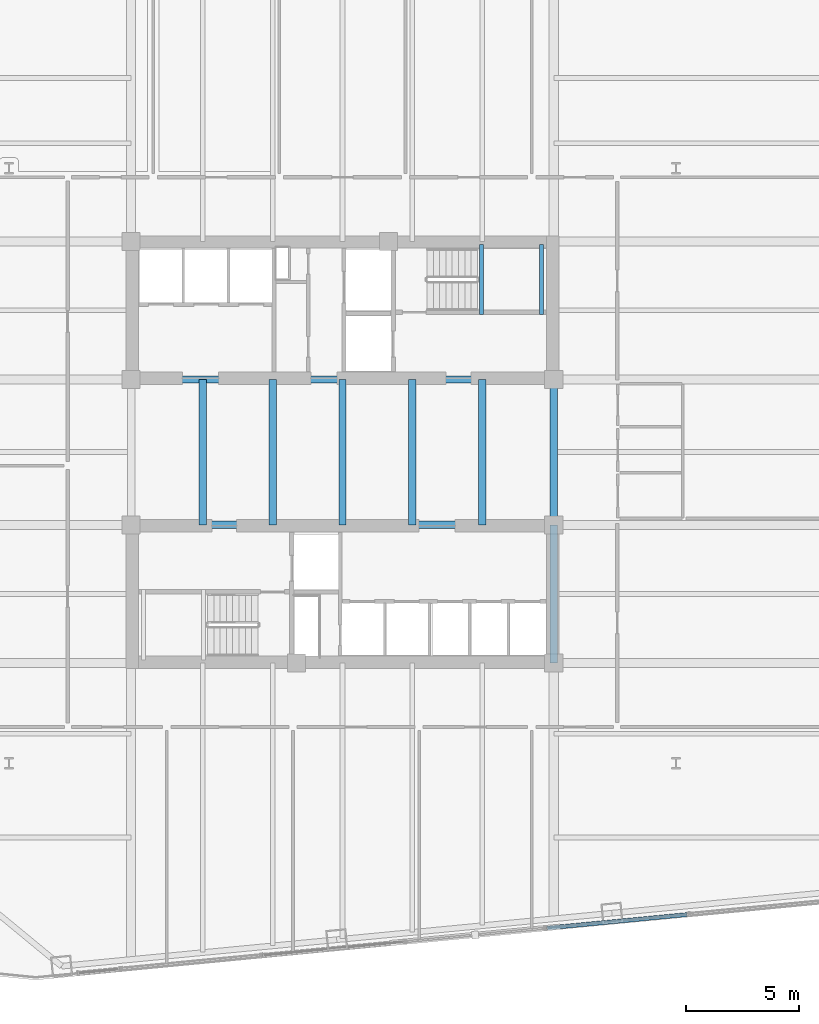
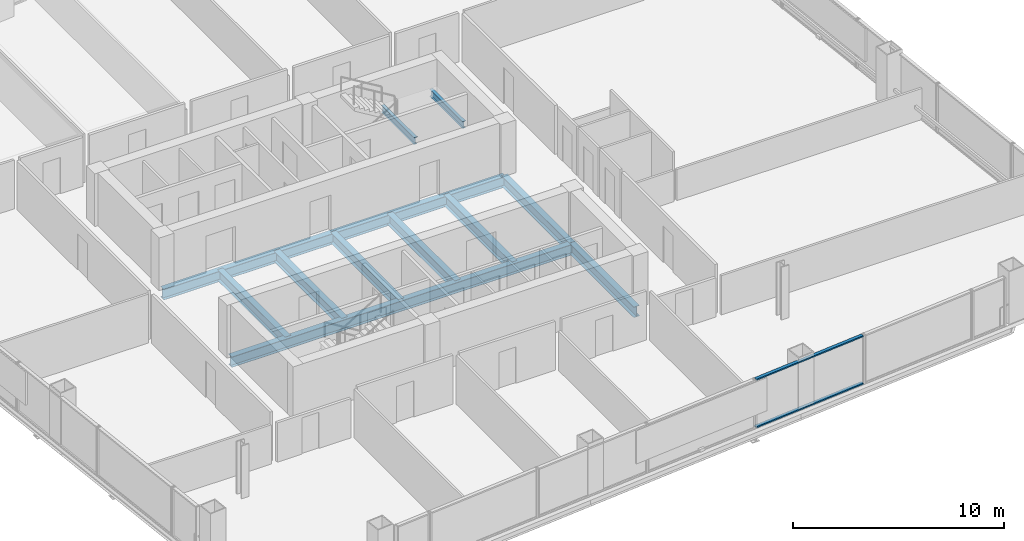
# One storey, part 12 of 34: 11 beams, 2 members, 1 element without a shape of its own.
"""IFC4 building model written with IfcOpenShell, lengths in metres."""

from ifc_helpers import new_model, si_unit, direction, frame, origin, origin_2d, place, context, subcontext, project, spatial, hollow_rectangle, i_section, extrude, material, layer, layer_set, material_profile, profile_set, type_object, element, aggregate, save


model = new_model("IFC4")

# Units and contexts
model_context = context("Model", 3, precision=1e-05, world=origin(), true_north=direction((0.0, 1.0)))
body_context = subcontext(model_context, "Body", "Model", "MODEL_VIEW")
ifc_project = project(units=[si_unit("LENGTHUNIT", "METRE"), si_unit("AREAUNIT", "SQUARE_METRE"), si_unit("VOLUMEUNIT", "CUBIC_METRE"), si_unit("PLANEANGLEUNIT", "RADIAN"), si_unit("MASSUNIT", "GRAM", prefix="KILO")], contexts=[model_context])

# Site, building, storey
site_placement = place(None, origin())
site = spatial("IfcSite", under=ifc_project, at=site_placement, CompositionType="ELEMENT")
building_placement = place(site_placement, origin())
building = spatial("IfcBuilding", under=site, at=building_placement, Name="Qhalaya Broadcast Tower", CompositionType="ELEMENT")
storey_placement = place(building_placement, frame((0.0, 0.0, 78.60009765625)))
storey = spatial("IfcBuildingStorey", under=building, at=storey_placement, Name="L22", CompositionType="ELEMENT", Elevation=78.60009765625)

# Beams
ifc_material_1 = material(Name="Structural Steel ASTM A992 Grade 50", Category="steel")
ifc_material_profile_1 = material_profile(ifc_material_1, i_section(OverallWidth=0.323974609375, OverallDepth=0.612060546875, WebThickness=0.0126953125, FlangeThickness=0.01904296875, at=origin_2d()), Name="W24X104")
ifc_profile_set_1 = profile_set([ifc_material_profile_1], Name="Structural Steel ASTM A992 Grade 50")
beam_type_1 = type_object("IfcBeamType", Name="Core Frame Tie Beam B04", PredefinedType="BEAM", material=ifc_profile_set_1)
for number, where, z_axis, x_axis, name in (
    (1, (-9.375, 3.824951171875, -0.526123046875), (1.0, 0.0, 0.0), (0.0, 1.0, 0.0), "L22 B04 L22-CCN1"),
    (2, (-9.375, -2.625, -0.526123046875), (1.0, 0.0, 0.0), (0.0, 1.0, 0.0), "L22 B04 L22-CCS1"),
):
    element("IfcBeam", number, at=place(storey_placement, frame(where, z_axis=z_axis, x_axis=x_axis)), inside=storey, type_object=beam_type_1, Name=name, PredefinedType="BEAM", context=body_context, shape_type="SweptSolid", body=[
        extrude(i_section(OverallWidth=0.323974609375, OverallDepth=0.612060546875, WebThickness=0.0126953125, FlangeThickness=0.01904296875, at=origin_2d()), origin(), (0.0, 0.0, 1.0), 18.75),
    ])
beam_placement = place(storey_placement, frame((9.375, -8.75, -0.526123046875), z_axis=(0.0, 1.0, 0.0), x_axis=(-1.0, 0.0, 0.0)))
element("IfcBeam", 3, at=beam_placement, inside=storey, type_object=beam_type_1, Name="L22 B04 L22-CCS2", PredefinedType="BEAM", context=body_context, shape_type="SweptSolid", body=[
    extrude(i_section(OverallWidth=0.323974609375, OverallDepth=0.612060546875, WebThickness=0.0126953125, FlangeThickness=0.01904296875, at=origin_2d()), origin(), (0.0, 0.0, 1.0), 6.125),
])
for number, where, z_axis, x_axis, name in (
    (4, (9.375, -2.625, -0.526123046875), (0.0, 1.0, 0.0), (-1.0, 0.0, 0.0), "L22 B04 L22-CCE"),
    (5, (-6.199951171875, -2.625, -0.526123046875), (0.0, 1.0, 0.0), (-1.0, 0.0, 0.0), "L22 B04 L22-JC1-1"),
    (6, (-3.10009765625, -2.625, -0.526123046875), (0.0, 1.0, 0.0), (-1.0, 0.0, 0.0), "L22 B04 L22-JC2-1"),
    (7, (0.0, -2.625, -0.526123046875), (0.0, 1.0, 0.0), (-1.0, 0.0, 0.0), "L22 B04 L22-JC3-1"),
    (8, (3.10009765625, -2.625, -0.526123046875), (0.0, 1.0, 0.0), (-1.0, 0.0, 0.0), "L22 B04 L22-JC4-1"),
    (9, (6.199951171875, -2.625, -0.526123046875), (0.0, 1.0, 0.0), (-1.0, 0.0, 0.0), "L22 B04 L22-JC5-1"),
):
    element("IfcBeam", number, at=place(storey_placement, frame(where, z_axis=z_axis, x_axis=x_axis)), inside=storey, type_object=beam_type_1, Name=name, PredefinedType="BEAM", context=body_context, shape_type="SweptSolid", body=[
        extrude(i_section(OverallWidth=0.323974609375, OverallDepth=0.612060546875, WebThickness=0.0126953125, FlangeThickness=0.01904296875, at=origin_2d()), origin(), (0.0, 0.0, 1.0), 6.449951171875),
    ])

# Curtain wall, members
ifc_material_2 = material(Name="Solar-Control Low-E Triple Glazing", Category="glass")
ifc_layer = layer(ifc_material_2, 0.219970703125, Name="Solar-Control Low-E Triple Glazing")
ifc_layer_set = layer_set([ifc_layer], Name="Solar-Control Low-E Triple Glazing")
curtain_wall_type = type_object("IfcCurtainWallType", Name="Even-Block 4-Storey Double-Module Curtain Wall CW-03", PredefinedType="NOTDEFINED", material=ifc_layer_set)
curtain_wall_placement = place(storey_placement, origin())
curtain_wall = element("IfcCurtainWall", 10, at=curtain_wall_placement, inside=storey, type_object=curtain_wall_type, Name="L22 Unitised Curtain Wall L22-CW-S5", PredefinedType="NOTDEFINED")
ifc_material_3 = material(Name="Anodised Aluminium 6063-T6", Category="aluminium")
ifc_material_profile_2 = material_profile(ifc_material_3, hollow_rectangle(XDim=0.074951171875, YDim=0.179931640625, WallThickness=0.00390625, at=origin_2d()), Name="ALU-TRN 75x180x4")
ifc_profile_set_2 = profile_set([ifc_material_profile_2], Name="Anodised Aluminium 6063-T6")
member_type = type_object("IfcMemberType", Name="Unitised Curtain-Wall Transom T01", PredefinedType="USERDEFINED", material=ifc_profile_set_2)
member_1_placement = place(storey_placement, frame((9.08740234375, -20.51904296875, 0.037353515625), z_axis=(0.995395316305, 0.095854912644, 0.0), x_axis=(0.0, 0.0, 1.0)))
member_1 = element("IfcMember", 11, at=member_1_placement, type_object=member_type, Name="CW-03 transom 1.1", ObjectType="TRANSOM", PredefinedType="USERDEFINED", context=body_context, shape_type="SweptSolid", body=[
    extrude(hollow_rectangle(XDim=0.074951171875, YDim=0.179931640625, WallThickness=0.00390625, at=origin_2d()), origin(), (0.0, 0.0, 1.0), 6.235107421875),
])
member_2_placement = place(storey_placement, frame((9.08740234375, -20.51904296875, 2.79248046875), z_axis=(0.995395316305, 0.095854912644, 0.0), x_axis=(0.0, 0.0, 1.0)))
member_2 = element("IfcMember", 12, at=member_2_placement, type_object=member_type, Name="CW-03 transom 1.2", ObjectType="TRANSOM", PredefinedType="USERDEFINED", context=body_context, shape_type="SweptSolid", body=[
    extrude(hollow_rectangle(XDim=0.074951171875, YDim=0.179931640625, WallThickness=0.00390625, at=origin_2d()), origin(), (0.0, 0.0, 1.0), 6.235107421875),
])
aggregate(curtain_wall, [member_1, member_2])

# Beams
ifc_material_profile_3 = material_profile(ifc_material_1, i_section(OverallWidth=0.177978515625, OverallDepth=0.406005859375, WebThickness=0.0078125, FlangeThickness=0.0126953125, at=origin_2d()), Name="W16X40")
ifc_profile_set_3 = profile_set([ifc_material_profile_3], Name="Structural Steel ASTM A992 Grade 50")
beam_type_2 = type_object("IfcBeamType", Name="Upper Perimeter Spandrel Beam SP2", PredefinedType="SPANDREL", material=ifc_profile_set_3)
for number, where, z_axis, x_axis, name in (
    (13, (6.175048828125, 6.699951171875, 1.121826171875), (0.0, 1.0, 0.0), (-1.0, 0.0, 0.0), "L22 ST-1 Half-Landing Bearer Beam 1"),
    (14, (8.830078125, 6.699951171875, 1.121826171875), (0.0, 1.0, 0.0), (-1.0, 0.0, 0.0), "L22 ST-1 Half-Landing Bearer Beam 2"),
):
    element("IfcBeam", number, at=place(storey_placement, frame(where, z_axis=z_axis, x_axis=x_axis)), inside=storey, type_object=beam_type_2, Name=name, PredefinedType="SPANDREL", context=body_context, shape_type="SweptSolid", body=[
        extrude(i_section(OverallWidth=0.177978515625, OverallDepth=0.406005859375, WebThickness=0.0078125, FlangeThickness=0.0126953125, at=origin_2d()), origin(), (0.0, 0.0, 1.0), 3.1201171875),
    ])

save(model, "model.ifc")
